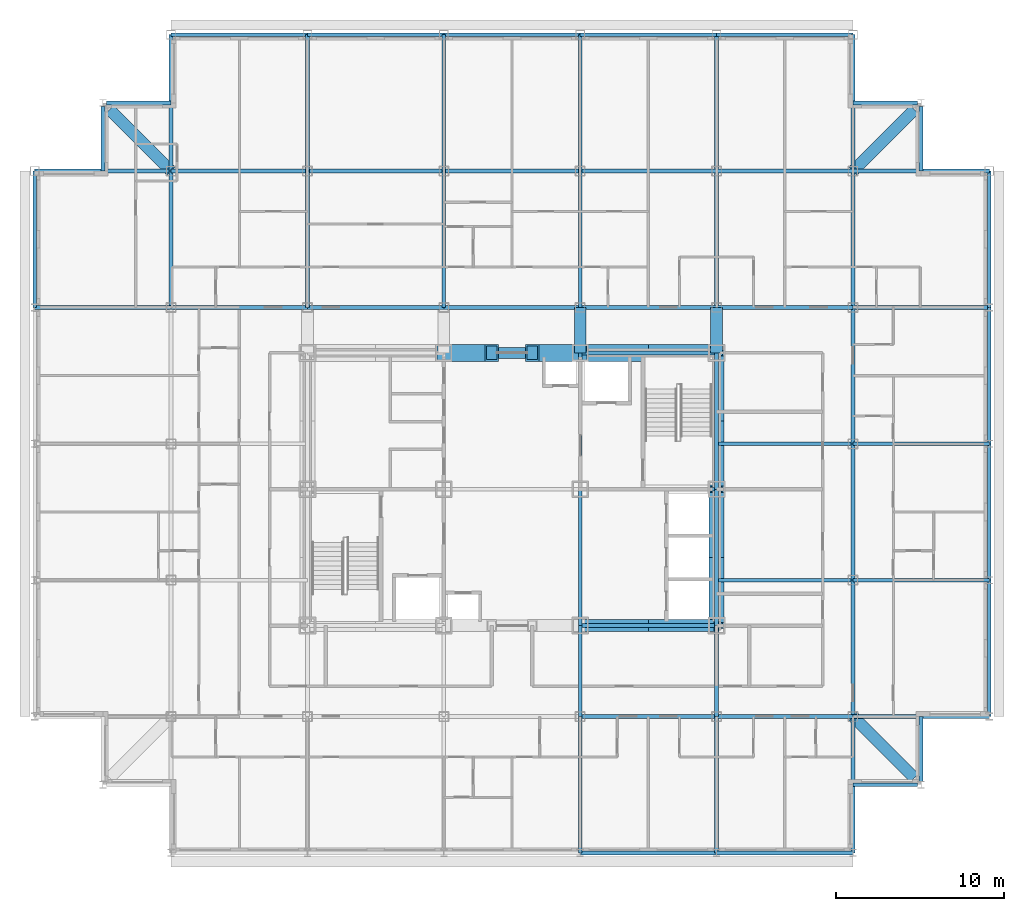
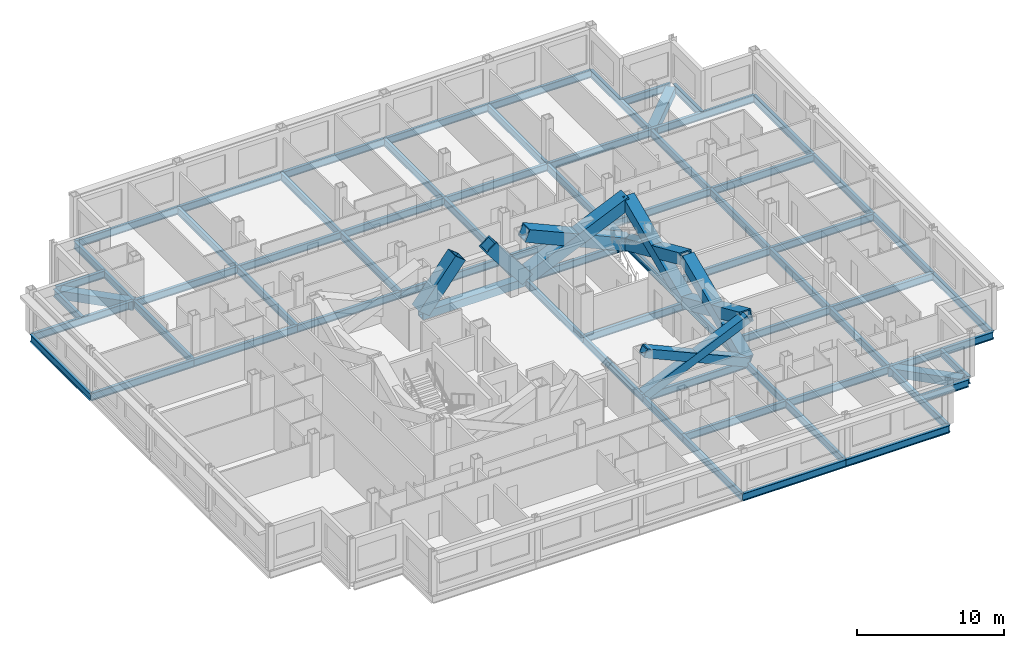
# One storey, part 2 of 12: 72 beams, 10 members.
"""IFC4 building model written with IfcOpenShell, lengths in metres."""

import ifcopenshell
import ifcopenshell.guid

model = None  # the IFC model being written
_history = None  # IfcOwnerHistory: only IFC2X3 demands one
_inside = {}  # id of a spatial element -> (the spatial element, [elements in it])
_under = {}  # id of a project, library or spatial element -> (it, [spatial elements below it])
_declared = {}  # id of a project -> (the project, [libraries it declares])
_typed = {}  # id of a type object -> (the type object, [elements of that type])
_made_of = {}  # id of a material, layer set ... -> (it, [elements and type objects made of it])


def new_model(schema):
    """Start an empty IFC model of exactly this schema.

    Asked for "IFC4X3", IfcOpenShell would pick the latest addendum, in which some entities
    have other attributes; the version numbers below select the first issue.
    IFC2X3 requires an IfcOwnerHistory on every rooted entity: one is made here for all.
    """
    global model, _history
    if schema == "IFC4X3":
        model = ifcopenshell.file(schema_version=(4, 3, 0, 0))
    else:
        model = ifcopenshell.file(schema=schema)
    _inside.clear()
    _under.clear()
    _declared.clear()
    _typed.clear()
    _made_of.clear()
    _history = None
    if model.schema == "IFC2X3":
        org = make("IfcOrganization", Name="unknown")
        user = make(
            "IfcPersonAndOrganization",
            ThePerson=make("IfcPerson", FamilyName="unknown"),
            TheOrganization=org,
        )
        app = make(
            "IfcApplication",
            ApplicationDeveloper=org,
            Version="unknown",
            ApplicationFullName="unknown",
            ApplicationIdentifier="unknown",
        )
        _history = make(
            "IfcOwnerHistory",
            OwningUser=user,
            OwningApplication=app,
            ChangeAction="ADDED",
            CreationDate=0,
        )
    return model


def make(cls, **values):
    """One entity of the class cls with the attributes given. An attribute that is None is left unset."""
    return model.create_entity(
        cls, **{name: value for name, value in values.items() if value is not None}
    )


def rooted(cls, **values):
    """An entity with a GlobalId (a new one), such as an element, a storey or a relation."""
    return make(cls, GlobalId=ifcopenshell.guid.new(), OwnerHistory=_history, **values)


def si_unit(unit_type, name, prefix=None):
    """IfcSIUnit, for example si_unit("LENGTHUNIT", "METRE", prefix="MILLI")."""
    return make("IfcSIUnit", UnitType=unit_type, Prefix=prefix, Name=name)


def assignment(units):
    """IfcUnitAssignment: the units of a project."""
    return None if units is None else make("IfcUnitAssignment", Units=units)


def point(xyz):
    """IfcCartesianPoint."""
    return None if xyz is None else make("IfcCartesianPoint", Coordinates=xyz)


def direction(xyz):
    """IfcDirection."""
    return None if xyz is None else make("IfcDirection", DirectionRatios=xyz)


def frame(location, z_axis=None, x_axis=None):
    """IfcAxis2Placement3D, a coordinate frame: its origin and axes. An axis left out is left unset."""
    return make(
        "IfcAxis2Placement3D",
        Location=point(location),
        Axis=direction(z_axis),
        RefDirection=direction(x_axis),
    )


def frame_2d(location, x_axis=None):
    """IfcAxis2Placement2D, a coordinate frame in the plane: its origin and x axis."""
    return make(
        "IfcAxis2Placement2D", Location=point(location), RefDirection=direction(x_axis)
    )


def origin():
    """The frame at (0, 0, 0) with its axes left unset."""
    return frame((0.0, 0.0, 0.0))


def origin_2d():
    """The frame at (0, 0) in the plane with its x axis left unset."""
    return frame_2d((0.0, 0.0))


def place(relative_to, where):
    """IfcLocalPlacement: puts the frame where relative to a parent placement (None: the world)."""
    return make(
        "IfcLocalPlacement", PlacementRelTo=relative_to, RelativePlacement=where
    )


def context(
    kind, dimensions, precision=None, world=None, true_north=None, identifier=None
):
    """IfcGeometricRepresentationContext, for example the 3D "Model" context."""
    return make(
        "IfcGeometricRepresentationContext",
        ContextIdentifier=identifier,
        ContextType=kind,
        CoordinateSpaceDimension=dimensions,
        Precision=precision,
        WorldCoordinateSystem=world,
        TrueNorth=true_north,
    )


def subcontext(parent, identifier, kind, view, scale=None):
    """IfcGeometricRepresentationSubContext, for example "Body" below "Model"."""
    return make(
        "IfcGeometricRepresentationSubContext",
        ContextIdentifier=identifier,
        ContextType=kind,
        ParentContext=parent,
        TargetScale=scale,
        TargetView=view,
    )


def project(units=None, contexts=None):
    """IfcProject with its units and contexts."""
    return rooted(
        "IfcProject",
        Name="project",
        RepresentationContexts=contexts,
        UnitsInContext=assignment(units),
    )


def spatial(cls, under=None, at=None, **own):
    """A site, building, storey or space (cls), placed at a placement, below another one or the project."""
    s = rooted(cls, ObjectPlacement=at, **own)
    if under is not None:
        _under.setdefault(under.id(), (under, []))[1].append(s)
    return s


def profile(cls, at=None, kind="AREA", **sizes):
    """A parametric profile (cls). Its sizes go by their IFC names, for example OverallWidth=200.0."""
    return make(cls, ProfileType=kind, Position=at, **sizes)


def hollow_rectangle(**sizes):
    """IfcRectangleHollowProfileDef."""
    return profile("IfcRectangleHollowProfileDef", **sizes)


def i_section(**sizes):
    """IfcIShapeProfileDef."""
    return profile("IfcIShapeProfileDef", **sizes)


def extrude(swept, where, along, depth):
    """IfcExtrudedAreaSolid: the profile swept, set in the frame where, extruded along a direction by depth."""
    return make(
        "IfcExtrudedAreaSolid",
        SweptArea=swept,
        Position=where,
        ExtrudedDirection=direction(along),
        Depth=depth,
    )


def shape(context_of_items, identifier, shape_type, items):
    """IfcShapeRepresentation: the items that make up one representation, for example the "Body"."""
    return make(
        "IfcShapeRepresentation",
        ContextOfItems=context_of_items,
        RepresentationIdentifier=identifier,
        RepresentationType=shape_type,
        Items=items,
    )


def material(Name=None, Category=None):
    """IfcMaterial."""
    return make("IfcMaterial", Name=Name, Category=Category)


def material_profile(
    of_material, cross_section, Name=None, Category=None, Priority=None
):
    """IfcMaterialProfile: a cross section and its material."""
    return make(
        "IfcMaterialProfile",
        Name=Name,
        Material=of_material,
        Profile=cross_section,
        Priority=Priority,
        Category=Category,
    )


def profile_set(profiles, Name=None, composite=None):
    """IfcMaterialProfileSet."""
    return make(
        "IfcMaterialProfileSet",
        Name=Name,
        MaterialProfiles=profiles,
        CompositeProfile=composite,
    )


def made_of(thing, what):
    """Note that an element or type object is made of a material, layer set ...; save() writes the relation."""
    if what is not None:
        _made_of.setdefault(what.id(), (what, []))[1].append(thing)
    return thing


def type_object(cls, material=None, **own):
    """A type object (cls), such as IfcWallType, which elements share."""
    return made_of(rooted(cls, **own), material)


def element(
    cls,
    number,
    at=None,
    inside=None,
    cuts=None,
    type_object=None,
    material=None,
    context=None,
    identifier="Body",
    shape_type=None,
    held_by="IfcProductDefinitionShape",
    body=None,
    shapes=None,
    **own,
):
    """One element of the class cls, such as IfcWall. Its Tag is "e" and its number.

    at: its placement. inside: the storey or other place that contains it. cuts: it is an
    opening in that element (IfcRelVoidsElement). A single representation is given by context,
    identifier, shape_type and body (its items); several are given by shapes. held_by: the class
    of the entity that holds the representations. save() writes the other relations.
    """
    e = rooted(cls, Tag="e%d" % number, ObjectPlacement=at, **own)
    if body is not None:
        shapes = [shape(context, identifier, shape_type, body)]
    if shapes is not None:
        e.Representation = make(held_by, Representations=shapes)
    if inside is not None:
        _inside.setdefault(inside.id(), (inside, []))[1].append(e)
    if cuts is not None:
        rooted(
            "IfcRelVoidsElement", RelatingBuildingElement=cuts, RelatedOpeningElement=e
        )
    if type_object is not None:
        _typed.setdefault(type_object.id(), (type_object, []))[1].append(e)
    return made_of(e, material)


def aggregate(whole, parts):
    """IfcRelAggregates: a whole, such as a stair, and the parts it consists of."""
    return rooted("IfcRelAggregates", RelatingObject=whole, RelatedObjects=parts)


def save(model, path):
    """Write the relations noted so far, then the file.

    IfcRelAggregates (storeys below a building ...), IfcRelContainedInSpatialStructure (elements
    in a storey), IfcRelDefinesByType, IfcRelAssociatesMaterial and IfcRelDeclares: one each for
    every whole, place, type object, material and project.
    """
    for whole, parts in _under.values():
        aggregate(whole, parts)
    for where, things in _inside.values():
        rooted(
            "IfcRelContainedInSpatialStructure",
            RelatedElements=things,
            RelatingStructure=where,
        )
    for kind, things in _typed.values():
        rooted("IfcRelDefinesByType", RelatedObjects=things, RelatingType=kind)
    for what, things in _made_of.values():
        rooted("IfcRelAssociatesMaterial", RelatedObjects=things, RelatingMaterial=what)
    for by, libraries in _declared.values():
        rooted("IfcRelDeclares", RelatingContext=by, RelatedDefinitions=libraries)
    model.write(path)


model = new_model("IFC4")

# Units and contexts
model_context = context("Model", 3, precision=1e-05, world=origin(), true_north=direction((0.0, 1.0)))
body_context = subcontext(model_context, "Body", "Model", "MODEL_VIEW")
ifc_project = project(units=[si_unit("LENGTHUNIT", "METRE"), si_unit("AREAUNIT", "SQUARE_METRE"), si_unit("VOLUMEUNIT", "CUBIC_METRE"), si_unit("PLANEANGLEUNIT", "RADIAN"), si_unit("MASSUNIT", "GRAM", prefix="KILO")], contexts=[model_context])

# Site, building, storey
site_placement = place(None, origin())
site = spatial("IfcSite", under=ifc_project, at=site_placement, CompositionType="ELEMENT")
building_placement = place(site_placement, origin())
building = spatial("IfcBuilding", under=site, at=building_placement, Name="Kopane Lantern Tower", CompositionType="ELEMENT")
storey_placement = place(building_placement, frame((0.0, 0.0, 217.199951171875)))
storey = spatial("IfcBuildingStorey", under=building, at=storey_placement, Name="L56", CompositionType="ELEMENT", Elevation=217.199951171875)

# Members
ifc_material_1 = material(Name="Steel S355JR", Category="steel")
ifc_material_profile_1 = material_profile(ifc_material_1, hollow_rectangle(XDim=1.0, YDim=1.0, WallThickness=0.10009765625, at=origin_2d()), Name="BOX 1000x1000x100")
ifc_profile_set_1 = profile_set([ifc_material_profile_1], Name="Steel S355JR")
member_type_1 = type_object("IfcMemberType", Name="BRACE BOX 1000x1000x100", PredefinedType="BRACE", material=ifc_profile_set_1)
for number, where, z_axis, x_axis, name in (
    (1, (24.300048828125, 40.5, -0.2099609375), (0.620672981644, 0.0, 0.784069544018), (0.0, 1.0, 0.0), "Core brace L56"),
    (2, (32.39990234375, 40.5, -0.2099609375), (-0.620672981644, 0.0, 0.784069544018), (0.0, -1.0, 0.0), "Core brace L56"),
):
    element("IfcMember", number, at=place(storey_placement, frame(where, z_axis=z_axis, x_axis=x_axis)), inside=storey, type_object=member_type_1, Name=name, PredefinedType="BRACE", context=body_context, shape_type="SweptSolid", body=[
        extrude(hollow_rectangle(XDim=1.0, YDim=1.0, WallThickness=0.10009765625, at=origin_2d()), origin(), (0.0, 0.0, 1.0), 4.591552734375),
    ])
for number, where, z_axis, x_axis, name in (
    (3, (32.39990234375, 40.5, -0.2099609375), (0.913809277049, 0.0, 0.40614357705), (0.0, 1.0, 0.0), "Core brace L56"),
    (4, (40.5, 40.5, -0.2099609375), (-0.913809277049, 0.0, 0.40614357705), (0.0, -1.0, 0.0), "Core brace L56"),
):
    element("IfcMember", number, at=place(storey_placement, frame(where, z_axis=z_axis, x_axis=x_axis)), inside=storey, type_object=member_type_1, Name=name, PredefinedType="BRACE", context=body_context, shape_type="SweptSolid", body=[
        extrude(hollow_rectangle(XDim=1.0, YDim=1.0, WallThickness=0.10009765625, at=origin_2d()), origin(), (0.0, 0.0, 1.0), 8.864013671875),
    ])
ifc_material_2 = material(Name="Steel S355JR", Category="steel")
ifc_material_profile_2 = material_profile(ifc_material_2, hollow_rectangle(XDim=0.699951171875, YDim=0.699951171875, WallThickness=0.06005859375, at=origin_2d()), Name="BOX 700x700x60")
ifc_profile_set_2 = profile_set([ifc_material_profile_2], Name="Steel S355JR")
member_type_2 = type_object("IfcMemberType", Name="BRACE BOX 700x700x60", PredefinedType="BRACE", material=ifc_profile_set_2)
for number, where, z_axis, x_axis, name in (
    (5, (32.39990234375, 24.300048828125, -0.2099609375), (0.913809277049, 0.0, 0.40614357705), (0.0, 1.0, 0.0), "Core brace L56"),
    (6, (40.5, 24.300048828125, -0.2099609375), (-0.913809277049, 0.0, 0.40614357705), (0.0, -1.0, 0.0), "Core brace L56"),
):
    element("IfcMember", number, at=place(storey_placement, frame(where, z_axis=z_axis, x_axis=x_axis)), inside=storey, type_object=member_type_2, Name=name, PredefinedType="BRACE", context=body_context, shape_type="SweptSolid", body=[
        extrude(hollow_rectangle(XDim=0.699951171875, YDim=0.699951171875, WallThickness=0.06005859375, at=origin_2d()), origin(), (0.0, 0.0, 1.0), 8.864013671875),
    ])
ifc_material_3 = material(Name="Steel S355JR", Category="steel")
ifc_material_profile_3 = material_profile(ifc_material_3, hollow_rectangle(XDim=0.89990234375, YDim=0.89990234375, WallThickness=0.090087890625, at=origin_2d()), Name="BOX 900x900x90")
ifc_profile_set_3 = profile_set([ifc_material_profile_3], Name="Steel S355JR")
member_type_3 = type_object("IfcMemberType", Name="BRACE BOX 900x900x90", PredefinedType="BRACE", material=ifc_profile_set_3)
for number, where, z_axis, x_axis, name in (
    (7, (40.5, 24.300048828125, -0.2099609375), (0.0, 0.91380473365, 0.406153799391), (-1.0, 0.0, 0.0), "Core brace L56"),
    (8, (40.5, 32.39990234375, -0.2099609375), (0.0, -0.91380473365, 0.406153799391), (1.0, 0.0, 0.0), "Core brace L56"),
):
    element("IfcMember", number, at=place(storey_placement, frame(where, z_axis=z_axis, x_axis=x_axis)), inside=storey, type_object=member_type_3, Name=name, PredefinedType="BRACE", context=body_context, shape_type="SweptSolid", body=[
        extrude(hollow_rectangle(XDim=0.89990234375, YDim=0.89990234375, WallThickness=0.090087890625, at=origin_2d()), origin(), (0.0, 0.0, 1.0), 8.86376953125),
    ])
for number, where, z_axis, x_axis, name in (
    (9, (40.5, 32.39990234375, -0.2099609375), (0.0, 0.913809277049, 0.40614357705), (-1.0, 0.0, 0.0), "Core brace L56"),
    (10, (40.5, 40.5, -0.2099609375), (0.0, -0.913809277049, 0.40614357705), (1.0, 0.0, 0.0), "Core brace L56"),
):
    element("IfcMember", number, at=place(storey_placement, frame(where, z_axis=z_axis, x_axis=x_axis)), inside=storey, type_object=member_type_3, Name=name, PredefinedType="BRACE", context=body_context, shape_type="SweptSolid", body=[
        extrude(hollow_rectangle(XDim=0.89990234375, YDim=0.89990234375, WallThickness=0.090087890625, at=origin_2d()), origin(), (0.0, 0.0, 1.0), 8.864013671875),
    ])

# Beams
ifc_material_4 = material(Name="Steel S355JR", Category="steel")
ifc_material_profile_4 = material_profile(ifc_material_4, i_section(OverallWidth=0.22900390625, OverallDepth=0.6123046875, WebThickness=0.011962890625, FlangeThickness=0.01953125, FilletRadius=0.0126953125, at=origin_2d()), Name="UB 610x229x125")
ifc_profile_set_4 = profile_set([ifc_material_profile_4], Name="Steel S355JR")
beam_type_1 = type_object("IfcBeamType", Name="CORE BEAM UB 610x229x125", PredefinedType="BEAM", material=ifc_profile_set_4)
beam_1_placement = place(storey_placement, frame((32.39990234375, 24.300048828125, -0.51611328125), z_axis=(0.0, 1.0, 0.0), x_axis=(-1.0, 0.0, 0.0)))
element("IfcBeam", 11, at=beam_1_placement, inside=storey, type_object=beam_type_1, Name="Core Beam L56", PredefinedType="BEAM", context=body_context, shape_type="SweptSolid", body=[
    extrude(i_section(OverallWidth=0.22900390625, OverallDepth=0.6123046875, WebThickness=0.011962890625, FlangeThickness=0.01953125, FilletRadius=0.0126953125, at=origin_2d()), origin(), (0.0, 0.0, 1.0), 8.099853515625),
])
for number, where, z_axis, x_axis, name in (
    (12, (32.39990234375, 32.39990234375, -0.51611328125), (0.0, 1.0, 0.0), (-1.0, 0.0, 0.0), "Core Beam L56"),
    (13, (32.39990234375, 32.39990234375, -0.51611328125), (1.0, 0.0, 0.0), (0.0, 1.0, 0.0), "Core Beam L56"),
):
    element("IfcBeam", number, at=place(storey_placement, frame(where, z_axis=z_axis, x_axis=x_axis)), inside=storey, type_object=beam_type_1, Name=name, PredefinedType="BEAM", context=body_context, shape_type="SweptSolid", body=[
        extrude(i_section(OverallWidth=0.22900390625, OverallDepth=0.6123046875, WebThickness=0.011962890625, FlangeThickness=0.01953125, FilletRadius=0.0126953125, at=origin_2d()), origin(), (0.0, 0.0, 1.0), 8.10009765625),
    ])
ifc_material_5 = material(Name="Steel S355JR", Category="steel")
ifc_material_profile_5 = material_profile(ifc_material_5, hollow_rectangle(XDim=0.699951171875, YDim=0.699951171875, WallThickness=0.06005859375, at=origin_2d()), Name="BOX 700x700x60")
ifc_profile_set_5 = profile_set([ifc_material_profile_5], Name="Steel S355JR")
beam_type_2 = type_object("IfcBeamType", Name="CORNER TIE BEAM BOX 700x700x60", PredefinedType="BEAM", material=ifc_profile_set_5)
for number, where, z_axis, x_axis, name in (
    (14, (4.447509765625, 54.952392578125, -0.56005859375), (0.70713041325, -0.707083148333, 0.0), (0.707083148333, 0.70713041325, 0.0), "Corner Tie Beam L56"),
    (15, (52.25244140625, 15.24755859375, -0.56005859375), (-0.707106781187, 0.707106781187, 0.0), (-0.707106781187, -0.707106781187, 0.0), "Corner Tie Beam L56"),
    (16, (52.25244140625, 54.952392578125, -0.56005859375), (-0.707106781187, -0.707106781187, 0.0), (0.707106781187, -0.707106781187, 0.0), "Corner Tie Beam L56"),
):
    element("IfcBeam", number, at=place(storey_placement, frame(where, z_axis=z_axis, x_axis=x_axis)), inside=storey, type_object=beam_type_2, Name=name, PredefinedType="BEAM", context=body_context, shape_type="SweptSolid", body=[
        extrude(hollow_rectangle(XDim=0.699951171875, YDim=0.699951171875, WallThickness=0.06005859375, at=origin_2d()), origin(), (0.0, 0.0, 1.0), 5.165283203125),
    ])
ifc_material_6 = material(Name="Steel S355JR", Category="steel")
ifc_material_profile_6 = material_profile(ifc_material_6, i_section(OverallWidth=0.22900390625, OverallDepth=0.6123046875, WebThickness=0.011962890625, FlangeThickness=0.01953125, FilletRadius=0.0126953125, at=origin_2d()), Name="UB 610x229x125")
ifc_profile_set_6 = profile_set([ifc_material_profile_6], Name="Steel S355JR")
beam_type_3 = type_object("IfcBeamType", Name="EDGE BEAM UB 610x229x125", PredefinedType="BEAM", material=ifc_profile_set_6)
beam_2_placement = place(storey_placement, frame((4.050048828125, 55.146484375, -0.51611328125), z_axis=(0.0, -1.0, 0.0), x_axis=(1.0, 0.0, 0.0)))
element("IfcBeam", 17, at=beam_2_placement, inside=storey, type_object=beam_type_3, Name="Edge Beam L56", PredefinedType="BEAM", context=body_context, shape_type="SweptSolid", body=[
    extrude(i_section(OverallWidth=0.22900390625, OverallDepth=0.6123046875, WebThickness=0.011962890625, FlangeThickness=0.01953125, FilletRadius=0.0126953125, at=origin_2d()), origin(), (0.0, 0.0, 1.0), 3.846435546875),
])
beam_3_placement = place(storey_placement, frame((4.25341796875, 55.35009765625, -0.51611328125), z_axis=(1.0, 0.0, 0.0), x_axis=(0.0, 1.0, 0.0)))
element("IfcBeam", 18, at=beam_3_placement, inside=storey, type_object=beam_type_3, Name="Edge Beam L56", PredefinedType="BEAM", context=body_context, shape_type="SweptSolid", body=[
    extrude(i_section(OverallWidth=0.22900390625, OverallDepth=0.6123046875, WebThickness=0.011962890625, FlangeThickness=0.01953125, FilletRadius=0.0126953125, at=origin_2d()), origin(), (0.0, 0.0, 1.0), 3.8466796875),
])
for number, where, z_axis, x_axis, name in (
    (19, (52.446533203125, 14.85009765625, -0.51611328125), (-1.0, 0.0, 0.0), (0.0, -1.0, 0.0), "Edge Beam L56"),
    (20, (52.446533203125, 55.35009765625, -0.51611328125), (-1.0, 0.0, 0.0), (0.0, -1.0, 0.0), "Edge Beam L56"),
    (21, (52.64990234375, 15.053466796875, -0.51611328125), (0.0, 1.0, 0.0), (-1.0, 0.0, 0.0), "Edge Beam L56"),
    (22, (52.64990234375, 55.146484375, -0.51611328125), (0.0, -1.0, 0.0), (1.0, 0.0, 0.0), "Edge Beam L56"),
):
    element("IfcBeam", number, at=place(storey_placement, frame(where, z_axis=z_axis, x_axis=x_axis)), inside=storey, type_object=beam_type_3, Name=name, PredefinedType="BEAM", context=body_context, shape_type="SweptSolid", body=[
        extrude(i_section(OverallWidth=0.22900390625, OverallDepth=0.6123046875, WebThickness=0.011962890625, FlangeThickness=0.01953125, FilletRadius=0.0126953125, at=origin_2d()), origin(), (0.0, 0.0, 1.0), 3.846435546875),
    ])
ifc_material_7 = material(Name="Steel S355JR", Category="steel")
ifc_material_profile_7 = material_profile(ifc_material_7, hollow_rectangle(XDim=0.699951171875, YDim=0.699951171875, WallThickness=0.06005859375, at=origin_2d()), Name="BOX 700x700x60")
ifc_profile_set_7 = profile_set([ifc_material_profile_7], Name="Steel S355JR")
beam_type_4 = type_object("IfcBeamType", Name="GIRDER BOX 700x700x60", PredefinedType="BEAM", material=ifc_profile_set_7)
for number, where, z_axis, x_axis, name in (
    (23, (32.39990234375, 40.5, -0.56005859375), (0.0, 1.0, 0.0), (-1.0, 0.0, 0.0), "Girder L56"),
    (24, (40.5, 40.5, -0.56005859375), (0.0, 1.0, 0.0), (-1.0, 0.0, 0.0), "Girder L56"),
):
    element("IfcBeam", number, at=place(storey_placement, frame(where, z_axis=z_axis, x_axis=x_axis)), inside=storey, type_object=beam_type_4, Name=name, PredefinedType="BEAM", context=body_context, shape_type="SweptSolid", body=[
        extrude(hollow_rectangle(XDim=0.699951171875, YDim=0.699951171875, WallThickness=0.06005859375, at=origin_2d()), origin(), (0.0, 0.0, 1.0), 2.699951171875),
    ])
ifc_material_8 = material(Name="Steel S355JR", Category="steel")
ifc_material_profile_8 = material_profile(ifc_material_8, i_section(OverallWidth=0.22900390625, OverallDepth=0.6123046875, WebThickness=0.011962890625, FlangeThickness=0.01953125, FilletRadius=0.0126953125, at=origin_2d()), Name="UB 610x229x125")
ifc_profile_set_8 = profile_set([ifc_material_profile_8], Name="Steel S355JR")
beam_type_5 = type_object("IfcBeamType", Name="GIRDER UB 610x229x125", PredefinedType="BEAM", material=ifc_profile_set_8)
for number, where, z_axis, x_axis, name in (
    (25, (0.0, 43.199951171875, -0.51611328125), (0.0, 1.0, 0.0), (-1.0, 0.0, 0.0), "Girder L56"),
    (26, (0.0, 43.199951171875, -0.51611328125), (1.0, 0.0, 0.0), (0.0, 1.0, 0.0), "Girder L56"),
    (27, (0.0, 51.300048828125, -0.51611328125), (1.0, 0.0, 0.0), (0.0, 1.0, 0.0), "Girder L56"),
    (28, (8.10009765625, 43.199951171875, -0.51611328125), (0.0, 1.0, 0.0), (-1.0, 0.0, 0.0), "Girder L56"),
):
    element("IfcBeam", number, at=place(storey_placement, frame(where, z_axis=z_axis, x_axis=x_axis)), inside=storey, type_object=beam_type_5, Name=name, PredefinedType="BEAM", context=body_context, shape_type="SweptSolid", body=[
        extrude(i_section(OverallWidth=0.22900390625, OverallDepth=0.6123046875, WebThickness=0.011962890625, FlangeThickness=0.01953125, FilletRadius=0.0126953125, at=origin_2d()), origin(), (0.0, 0.0, 1.0), 8.10009765625),
    ])
for number, where, z_axis, x_axis, name in (
    (29, (8.10009765625, 43.199951171875, -0.51611328125), (1.0, 0.0, 0.0), (0.0, 1.0, 0.0), "Girder L56"),
    (30, (8.10009765625, 51.300048828125, -0.51611328125), (0.0, 1.0, 0.0), (-1.0, 0.0, 0.0), "Girder L56"),
    (31, (8.10009765625, 51.300048828125, -0.51611328125), (1.0, 0.0, 0.0), (0.0, 1.0, 0.0), "Girder L56"),
    (32, (8.10009765625, 59.39990234375, -0.51611328125), (1.0, 0.0, 0.0), (0.0, 1.0, 0.0), "Girder L56"),
):
    element("IfcBeam", number, at=place(storey_placement, frame(where, z_axis=z_axis, x_axis=x_axis)), inside=storey, type_object=beam_type_5, Name=name, PredefinedType="BEAM", context=body_context, shape_type="SweptSolid", body=[
        extrude(i_section(OverallWidth=0.22900390625, OverallDepth=0.6123046875, WebThickness=0.011962890625, FlangeThickness=0.01953125, FilletRadius=0.0126953125, at=origin_2d()), origin(), (0.0, 0.0, 1.0), 8.099853515625),
    ])
for number, where, z_axis, x_axis, name in (
    (33, (16.199951171875, 43.199951171875, -0.51611328125), (0.0, 1.0, 0.0), (-1.0, 0.0, 0.0), "Girder L56"),
    (34, (16.199951171875, 43.199951171875, -0.51611328125), (1.0, 0.0, 0.0), (0.0, 1.0, 0.0), "Girder L56"),
):
    element("IfcBeam", number, at=place(storey_placement, frame(where, z_axis=z_axis, x_axis=x_axis)), inside=storey, type_object=beam_type_5, Name=name, PredefinedType="BEAM", context=body_context, shape_type="SweptSolid", body=[
        extrude(i_section(OverallWidth=0.22900390625, OverallDepth=0.6123046875, WebThickness=0.011962890625, FlangeThickness=0.01953125, FilletRadius=0.0126953125, at=origin_2d()), origin(), (0.0, 0.0, 1.0), 8.10009765625),
    ])
beam_4_placement = place(storey_placement, frame((16.199951171875, 51.300048828125, -0.51611328125), z_axis=(0.0, 1.0, 0.0), x_axis=(-1.0, 0.0, 0.0)))
element("IfcBeam", 35, at=beam_4_placement, inside=storey, type_object=beam_type_5, Name="Girder L56", PredefinedType="BEAM", context=body_context, shape_type="SweptSolid", body=[
    extrude(i_section(OverallWidth=0.22900390625, OverallDepth=0.6123046875, WebThickness=0.011962890625, FlangeThickness=0.01953125, FilletRadius=0.0126953125, at=origin_2d()), origin(), (0.0, 0.0, 1.0), 8.099853515625),
])
for number, where, z_axis, x_axis, name in (
    (36, (16.199951171875, 51.300048828125, -0.51611328125), (1.0, 0.0, 0.0), (0.0, 1.0, 0.0), "Girder L56"),
    (37, (16.199951171875, 59.39990234375, -0.51611328125), (1.0, 0.0, 0.0), (0.0, 1.0, 0.0), "Girder L56"),
    (38, (24.300048828125, 43.199951171875, -0.51611328125), (0.0, 1.0, 0.0), (-1.0, 0.0, 0.0), "Girder L56"),
):
    element("IfcBeam", number, at=place(storey_placement, frame(where, z_axis=z_axis, x_axis=x_axis)), inside=storey, type_object=beam_type_5, Name=name, PredefinedType="BEAM", context=body_context, shape_type="SweptSolid", body=[
        extrude(i_section(OverallWidth=0.22900390625, OverallDepth=0.6123046875, WebThickness=0.011962890625, FlangeThickness=0.01953125, FilletRadius=0.0126953125, at=origin_2d()), origin(), (0.0, 0.0, 1.0), 8.10009765625),
    ])
for number, where, z_axis, x_axis, name in (
    (39, (24.300048828125, 43.199951171875, -0.51611328125), (1.0, 0.0, 0.0), (0.0, 1.0, 0.0), "Girder L56"),
    (40, (24.300048828125, 51.300048828125, -0.51611328125), (0.0, 1.0, 0.0), (-1.0, 0.0, 0.0), "Girder L56"),
    (41, (24.300048828125, 51.300048828125, -0.51611328125), (1.0, 0.0, 0.0), (0.0, 1.0, 0.0), "Girder L56"),
    (42, (24.300048828125, 59.39990234375, -0.51611328125), (1.0, 0.0, 0.0), (0.0, 1.0, 0.0), "Girder L56"),
    (43, (32.39990234375, 10.800048828125, -0.51611328125), (0.0, 1.0, 0.0), (-1.0, 0.0, 0.0), "Girder L56"),
):
    element("IfcBeam", number, at=place(storey_placement, frame(where, z_axis=z_axis, x_axis=x_axis)), inside=storey, type_object=beam_type_5, Name=name, PredefinedType="BEAM", context=body_context, shape_type="SweptSolid", body=[
        extrude(i_section(OverallWidth=0.22900390625, OverallDepth=0.6123046875, WebThickness=0.011962890625, FlangeThickness=0.01953125, FilletRadius=0.0126953125, at=origin_2d()), origin(), (0.0, 0.0, 1.0), 8.099853515625),
    ])
beam_5_placement = place(storey_placement, frame((32.39990234375, 10.800048828125, -0.51611328125), z_axis=(1.0, 0.0, 0.0), x_axis=(0.0, 1.0, 0.0)))
element("IfcBeam", 44, at=beam_5_placement, inside=storey, type_object=beam_type_5, Name="Girder L56", PredefinedType="BEAM", context=body_context, shape_type="SweptSolid", body=[
    extrude(i_section(OverallWidth=0.22900390625, OverallDepth=0.6123046875, WebThickness=0.011962890625, FlangeThickness=0.01953125, FilletRadius=0.0126953125, at=origin_2d()), origin(), (0.0, 0.0, 1.0), 8.10009765625),
])
beam_6_placement = place(storey_placement, frame((32.39990234375, 18.89990234375, -0.51611328125), z_axis=(0.0, 1.0, 0.0), x_axis=(-1.0, 0.0, 0.0)))
element("IfcBeam", 45, at=beam_6_placement, inside=storey, type_object=beam_type_5, Name="Girder L56", PredefinedType="BEAM", context=body_context, shape_type="SweptSolid", body=[
    extrude(i_section(OverallWidth=0.22900390625, OverallDepth=0.6123046875, WebThickness=0.011962890625, FlangeThickness=0.01953125, FilletRadius=0.0126953125, at=origin_2d()), origin(), (0.0, 0.0, 1.0), 5.400146484375),
])
for number, where, z_axis, x_axis, name in (
    (46, (32.39990234375, 18.89990234375, -0.51611328125), (1.0, 0.0, 0.0), (0.0, 1.0, 0.0), "Girder L56"),
    (47, (32.39990234375, 24.300048828125, -0.51611328125), (1.0, 0.0, 0.0), (0.0, 1.0, 0.0), "Girder L56"),
    (48, (32.39990234375, 40.5, -0.51611328125), (1.0, 0.0, 0.0), (0.0, 1.0, 0.0), "Girder L56"),
    (49, (32.39990234375, 43.199951171875, -0.51611328125), (0.0, 1.0, 0.0), (-1.0, 0.0, 0.0), "Girder L56"),
    (50, (32.39990234375, 43.199951171875, -0.51611328125), (1.0, 0.0, 0.0), (0.0, 1.0, 0.0), "Girder L56"),
):
    element("IfcBeam", number, at=place(storey_placement, frame(where, z_axis=z_axis, x_axis=x_axis)), inside=storey, type_object=beam_type_5, Name=name, PredefinedType="BEAM", context=body_context, shape_type="SweptSolid", body=[
        extrude(i_section(OverallWidth=0.22900390625, OverallDepth=0.6123046875, WebThickness=0.011962890625, FlangeThickness=0.01953125, FilletRadius=0.0126953125, at=origin_2d()), origin(), (0.0, 0.0, 1.0), 8.10009765625),
    ])
beam_7_placement = place(storey_placement, frame((32.39990234375, 51.300048828125, -0.51611328125), z_axis=(0.0, 1.0, 0.0), x_axis=(-1.0, 0.0, 0.0)))
element("IfcBeam", 51, at=beam_7_placement, inside=storey, type_object=beam_type_5, Name="Girder L56", PredefinedType="BEAM", context=body_context, shape_type="SweptSolid", body=[
    extrude(i_section(OverallWidth=0.22900390625, OverallDepth=0.6123046875, WebThickness=0.011962890625, FlangeThickness=0.01953125, FilletRadius=0.0126953125, at=origin_2d()), origin(), (0.0, 0.0, 1.0), 8.099853515625),
])
for number, where, z_axis, x_axis, name in (
    (52, (32.39990234375, 51.300048828125, -0.51611328125), (1.0, 0.0, 0.0), (0.0, 1.0, 0.0), "Girder L56"),
    (53, (32.39990234375, 59.39990234375, -0.51611328125), (1.0, 0.0, 0.0), (0.0, 1.0, 0.0), "Girder L56"),
):
    element("IfcBeam", number, at=place(storey_placement, frame(where, z_axis=z_axis, x_axis=x_axis)), inside=storey, type_object=beam_type_5, Name=name, PredefinedType="BEAM", context=body_context, shape_type="SweptSolid", body=[
        extrude(i_section(OverallWidth=0.22900390625, OverallDepth=0.6123046875, WebThickness=0.011962890625, FlangeThickness=0.01953125, FilletRadius=0.0126953125, at=origin_2d()), origin(), (0.0, 0.0, 1.0), 8.10009765625),
    ])
beam_8_placement = place(storey_placement, frame((40.5, 10.800048828125, -0.51611328125), z_axis=(0.0, 1.0, 0.0), x_axis=(-1.0, 0.0, 0.0)))
element("IfcBeam", 54, at=beam_8_placement, inside=storey, type_object=beam_type_5, Name="Girder L56", PredefinedType="BEAM", context=body_context, shape_type="SweptSolid", body=[
    extrude(i_section(OverallWidth=0.22900390625, OverallDepth=0.6123046875, WebThickness=0.011962890625, FlangeThickness=0.01953125, FilletRadius=0.0126953125, at=origin_2d()), origin(), (0.0, 0.0, 1.0), 8.099853515625),
])
beam_9_placement = place(storey_placement, frame((40.5, 10.800048828125, -0.51611328125), z_axis=(1.0, 0.0, 0.0), x_axis=(0.0, 1.0, 0.0)))
element("IfcBeam", 55, at=beam_9_placement, inside=storey, type_object=beam_type_5, Name="Girder L56", PredefinedType="BEAM", context=body_context, shape_type="SweptSolid", body=[
    extrude(i_section(OverallWidth=0.22900390625, OverallDepth=0.6123046875, WebThickness=0.011962890625, FlangeThickness=0.01953125, FilletRadius=0.0126953125, at=origin_2d()), origin(), (0.0, 0.0, 1.0), 8.10009765625),
])
beam_10_placement = place(storey_placement, frame((40.5, 18.89990234375, -0.51611328125), z_axis=(0.0, 1.0, 0.0), x_axis=(-1.0, 0.0, 0.0)))
element("IfcBeam", 56, at=beam_10_placement, inside=storey, type_object=beam_type_5, Name="Girder L56", PredefinedType="BEAM", context=body_context, shape_type="SweptSolid", body=[
    extrude(i_section(OverallWidth=0.22900390625, OverallDepth=0.6123046875, WebThickness=0.011962890625, FlangeThickness=0.01953125, FilletRadius=0.0126953125, at=origin_2d()), origin(), (0.0, 0.0, 1.0), 5.400146484375),
])
beam_11_placement = place(storey_placement, frame((40.5, 18.89990234375, -0.51611328125), z_axis=(1.0, 0.0, 0.0), x_axis=(0.0, 1.0, 0.0)))
element("IfcBeam", 57, at=beam_11_placement, inside=storey, type_object=beam_type_5, Name="Girder L56", PredefinedType="BEAM", context=body_context, shape_type="SweptSolid", body=[
    extrude(i_section(OverallWidth=0.22900390625, OverallDepth=0.6123046875, WebThickness=0.011962890625, FlangeThickness=0.01953125, FilletRadius=0.0126953125, at=origin_2d()), origin(), (0.0, 0.0, 1.0), 8.10009765625),
])
beam_12_placement = place(storey_placement, frame((40.5, 24.300048828125, -0.51611328125), z_axis=(0.0, 1.0, 0.0), x_axis=(-1.0, 0.0, 0.0)))
element("IfcBeam", 58, at=beam_12_placement, inside=storey, type_object=beam_type_5, Name="Girder L56", PredefinedType="BEAM", context=body_context, shape_type="SweptSolid", body=[
    extrude(i_section(OverallWidth=0.22900390625, OverallDepth=0.6123046875, WebThickness=0.011962890625, FlangeThickness=0.01953125, FilletRadius=0.0126953125, at=origin_2d()), origin(), (0.0, 0.0, 1.0), 8.099853515625),
])
for number, where, z_axis, x_axis, name in (
    (59, (40.5, 27.0, -0.51611328125), (1.0, 0.0, 0.0), (0.0, 1.0, 0.0), "Girder L56"),
    (60, (40.5, 32.39990234375, -0.51611328125), (0.0, 1.0, 0.0), (-1.0, 0.0, 0.0), "Girder L56"),
    (61, (40.5, 35.10009765625, -0.51611328125), (1.0, 0.0, 0.0), (0.0, 1.0, 0.0), "Girder L56"),
    (62, (40.5, 43.199951171875, -0.51611328125), (0.0, 1.0, 0.0), (-1.0, 0.0, 0.0), "Girder L56"),
    (63, (40.5, 43.199951171875, -0.51611328125), (1.0, 0.0, 0.0), (0.0, 1.0, 0.0), "Girder L56"),
):
    element("IfcBeam", number, at=place(storey_placement, frame(where, z_axis=z_axis, x_axis=x_axis)), inside=storey, type_object=beam_type_5, Name=name, PredefinedType="BEAM", context=body_context, shape_type="SweptSolid", body=[
        extrude(i_section(OverallWidth=0.22900390625, OverallDepth=0.6123046875, WebThickness=0.011962890625, FlangeThickness=0.01953125, FilletRadius=0.0126953125, at=origin_2d()), origin(), (0.0, 0.0, 1.0), 8.10009765625),
    ])
beam_13_placement = place(storey_placement, frame((40.5, 51.300048828125, -0.51611328125), z_axis=(0.0, 1.0, 0.0), x_axis=(-1.0, 0.0, 0.0)))
element("IfcBeam", 64, at=beam_13_placement, inside=storey, type_object=beam_type_5, Name="Girder L56", PredefinedType="BEAM", context=body_context, shape_type="SweptSolid", body=[
    extrude(i_section(OverallWidth=0.22900390625, OverallDepth=0.6123046875, WebThickness=0.011962890625, FlangeThickness=0.01953125, FilletRadius=0.0126953125, at=origin_2d()), origin(), (0.0, 0.0, 1.0), 8.099853515625),
])
for number, where, z_axis, x_axis, name in (
    (65, (40.5, 51.300048828125, -0.51611328125), (1.0, 0.0, 0.0), (0.0, 1.0, 0.0), "Girder L56"),
    (66, (40.5, 59.39990234375, -0.51611328125), (1.0, 0.0, 0.0), (0.0, 1.0, 0.0), "Girder L56"),
):
    element("IfcBeam", number, at=place(storey_placement, frame(where, z_axis=z_axis, x_axis=x_axis)), inside=storey, type_object=beam_type_5, Name=name, PredefinedType="BEAM", context=body_context, shape_type="SweptSolid", body=[
        extrude(i_section(OverallWidth=0.22900390625, OverallDepth=0.6123046875, WebThickness=0.011962890625, FlangeThickness=0.01953125, FilletRadius=0.0126953125, at=origin_2d()), origin(), (0.0, 0.0, 1.0), 8.10009765625),
    ])
beam_14_placement = place(storey_placement, frame((48.60009765625, 10.800048828125, -0.51611328125), z_axis=(0.0, 1.0, 0.0), x_axis=(-1.0, 0.0, 0.0)))
element("IfcBeam", 67, at=beam_14_placement, inside=storey, type_object=beam_type_5, Name="Girder L56", PredefinedType="BEAM", context=body_context, shape_type="SweptSolid", body=[
    extrude(i_section(OverallWidth=0.22900390625, OverallDepth=0.6123046875, WebThickness=0.011962890625, FlangeThickness=0.01953125, FilletRadius=0.0126953125, at=origin_2d()), origin(), (0.0, 0.0, 1.0), 8.099853515625),
])
beam_15_placement = place(storey_placement, frame((48.60009765625, 18.89990234375, -0.51611328125), z_axis=(0.0, 1.0, 0.0), x_axis=(-1.0, 0.0, 0.0)))
element("IfcBeam", 68, at=beam_15_placement, inside=storey, type_object=beam_type_5, Name="Girder L56", PredefinedType="BEAM", context=body_context, shape_type="SweptSolid", body=[
    extrude(i_section(OverallWidth=0.22900390625, OverallDepth=0.6123046875, WebThickness=0.011962890625, FlangeThickness=0.01953125, FilletRadius=0.0126953125, at=origin_2d()), origin(), (0.0, 0.0, 1.0), 8.10009765625),
])
beam_16_placement = place(storey_placement, frame((48.60009765625, 18.89990234375, -0.51611328125), z_axis=(1.0, 0.0, 0.0), x_axis=(0.0, 1.0, 0.0)))
element("IfcBeam", 69, at=beam_16_placement, inside=storey, type_object=beam_type_5, Name="Girder L56", PredefinedType="BEAM", context=body_context, shape_type="SweptSolid", body=[
    extrude(i_section(OverallWidth=0.22900390625, OverallDepth=0.6123046875, WebThickness=0.011962890625, FlangeThickness=0.01953125, FilletRadius=0.0126953125, at=origin_2d()), origin(), (0.0, 0.0, 1.0), 8.099853515625),
])
beam_17_placement = place(storey_placement, frame((48.60009765625, 27.0, -0.51611328125), z_axis=(0.0, 1.0, 0.0), x_axis=(-1.0, 0.0, 0.0)))
element("IfcBeam", 70, at=beam_17_placement, inside=storey, type_object=beam_type_5, Name="Girder L56", PredefinedType="BEAM", context=body_context, shape_type="SweptSolid", body=[
    extrude(i_section(OverallWidth=0.22900390625, OverallDepth=0.6123046875, WebThickness=0.011962890625, FlangeThickness=0.01953125, FilletRadius=0.0126953125, at=origin_2d()), origin(), (0.0, 0.0, 1.0), 8.10009765625),
])
for number, where, z_axis, x_axis, name in (
    (71, (48.60009765625, 27.0, -0.51611328125), (1.0, 0.0, 0.0), (0.0, 1.0, 0.0), "Girder L56"),
    (72, (48.60009765625, 35.10009765625, -0.51611328125), (0.0, 1.0, 0.0), (-1.0, 0.0, 0.0), "Girder L56"),
    (73, (48.60009765625, 35.10009765625, -0.51611328125), (1.0, 0.0, 0.0), (0.0, 1.0, 0.0), "Girder L56"),
):
    element("IfcBeam", number, at=place(storey_placement, frame(where, z_axis=z_axis, x_axis=x_axis)), inside=storey, type_object=beam_type_5, Name=name, PredefinedType="BEAM", context=body_context, shape_type="SweptSolid", body=[
        extrude(i_section(OverallWidth=0.22900390625, OverallDepth=0.6123046875, WebThickness=0.011962890625, FlangeThickness=0.01953125, FilletRadius=0.0126953125, at=origin_2d()), origin(), (0.0, 0.0, 1.0), 8.099853515625),
    ])
beam_18_placement = place(storey_placement, frame((48.60009765625, 43.199951171875, -0.51611328125), z_axis=(0.0, 1.0, 0.0), x_axis=(-1.0, 0.0, 0.0)))
element("IfcBeam", 74, at=beam_18_placement, inside=storey, type_object=beam_type_5, Name="Girder L56", PredefinedType="BEAM", context=body_context, shape_type="SweptSolid", body=[
    extrude(i_section(OverallWidth=0.22900390625, OverallDepth=0.6123046875, WebThickness=0.011962890625, FlangeThickness=0.01953125, FilletRadius=0.0126953125, at=origin_2d()), origin(), (0.0, 0.0, 1.0), 8.10009765625),
])
for number, where, z_axis, x_axis, name in (
    (75, (48.60009765625, 43.199951171875, -0.51611328125), (1.0, 0.0, 0.0), (0.0, 1.0, 0.0), "Girder L56"),
    (76, (48.60009765625, 51.300048828125, -0.51611328125), (0.0, 1.0, 0.0), (-1.0, 0.0, 0.0), "Girder L56"),
    (77, (48.60009765625, 51.300048828125, -0.51611328125), (1.0, 0.0, 0.0), (0.0, 1.0, 0.0), "Girder L56"),
):
    element("IfcBeam", number, at=place(storey_placement, frame(where, z_axis=z_axis, x_axis=x_axis)), inside=storey, type_object=beam_type_5, Name=name, PredefinedType="BEAM", context=body_context, shape_type="SweptSolid", body=[
        extrude(i_section(OverallWidth=0.22900390625, OverallDepth=0.6123046875, WebThickness=0.011962890625, FlangeThickness=0.01953125, FilletRadius=0.0126953125, at=origin_2d()), origin(), (0.0, 0.0, 1.0), 8.099853515625),
    ])
for number, where, z_axis, x_axis, name in (
    (78, (56.699951171875, 18.89990234375, -0.51611328125), (0.0, 1.0, 0.0), (-1.0, 0.0, 0.0), "Girder L56"),
    (79, (56.699951171875, 27.0, -0.51611328125), (0.0, 1.0, 0.0), (-1.0, 0.0, 0.0), "Girder L56"),
):
    element("IfcBeam", number, at=place(storey_placement, frame(where, z_axis=z_axis, x_axis=x_axis)), inside=storey, type_object=beam_type_5, Name=name, PredefinedType="BEAM", context=body_context, shape_type="SweptSolid", body=[
        extrude(i_section(OverallWidth=0.22900390625, OverallDepth=0.6123046875, WebThickness=0.011962890625, FlangeThickness=0.01953125, FilletRadius=0.0126953125, at=origin_2d()), origin(), (0.0, 0.0, 1.0), 8.10009765625),
    ])
beam_19_placement = place(storey_placement, frame((56.699951171875, 35.10009765625, -0.51611328125), z_axis=(0.0, 1.0, 0.0), x_axis=(-1.0, 0.0, 0.0)))
element("IfcBeam", 80, at=beam_19_placement, inside=storey, type_object=beam_type_5, Name="Girder L56", PredefinedType="BEAM", context=body_context, shape_type="SweptSolid", body=[
    extrude(i_section(OverallWidth=0.22900390625, OverallDepth=0.6123046875, WebThickness=0.011962890625, FlangeThickness=0.01953125, FilletRadius=0.0126953125, at=origin_2d()), origin(), (0.0, 0.0, 1.0), 8.099853515625),
])
beam_20_placement = place(storey_placement, frame((56.699951171875, 43.199951171875, -0.51611328125), z_axis=(0.0, 1.0, 0.0), x_axis=(-1.0, 0.0, 0.0)))
element("IfcBeam", 81, at=beam_20_placement, inside=storey, type_object=beam_type_5, Name="Girder L56", PredefinedType="BEAM", context=body_context, shape_type="SweptSolid", body=[
    extrude(i_section(OverallWidth=0.22900390625, OverallDepth=0.6123046875, WebThickness=0.011962890625, FlangeThickness=0.01953125, FilletRadius=0.0126953125, at=origin_2d()), origin(), (0.0, 0.0, 1.0), 8.10009765625),
])
ifc_material_9 = material(Name="Steel S355JR", Category="steel")
ifc_material_profile_9 = material_profile(ifc_material_9, hollow_rectangle(XDim=0.64990234375, YDim=0.64990234375, WallThickness=0.070068359375, at=origin_2d()), Name="BOX 650x650x70")
ifc_profile_set_9 = profile_set([ifc_material_profile_9], Name="Steel S355JR")
beam_type_6 = type_object("IfcBeamType", Name="LINK BEAM BOX 650x650x70", PredefinedType="BEAM", material=ifc_profile_set_9)
beam_21_placement = place(storey_placement, frame((24.300048828125, 40.5, -0.534912109375), z_axis=(1.0, 0.0, 0.0), x_axis=(0.0, 1.0, 0.0)))
element("IfcBeam", 82, at=beam_21_placement, inside=storey, type_object=beam_type_6, Name="Link Beam L56", PredefinedType="BEAM", context=body_context, shape_type="SweptSolid", body=[
    extrude(hollow_rectangle(XDim=0.64990234375, YDim=0.64990234375, WallThickness=0.070068359375, at=origin_2d()), origin(), (0.0, 0.0, 1.0), 8.099853515625),
])

save(model, "model.ifc")
